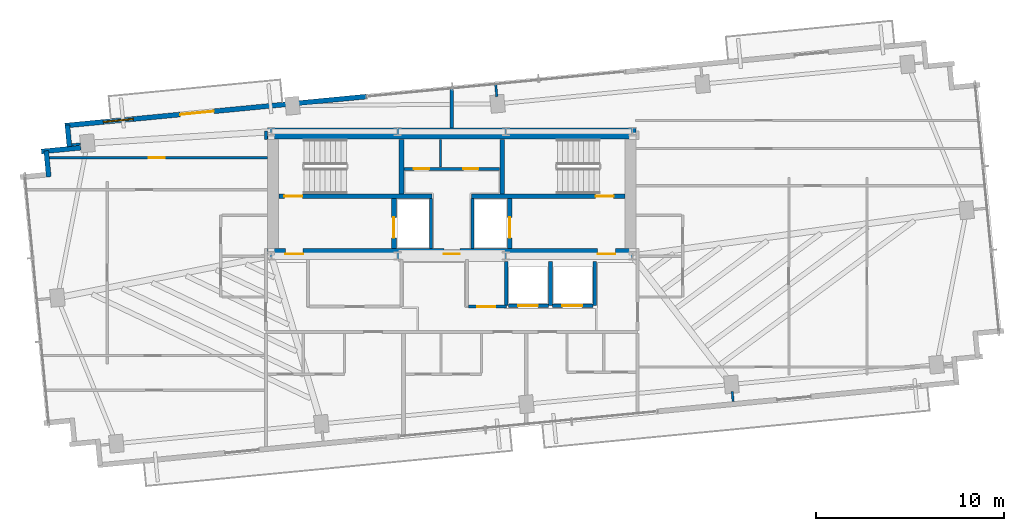
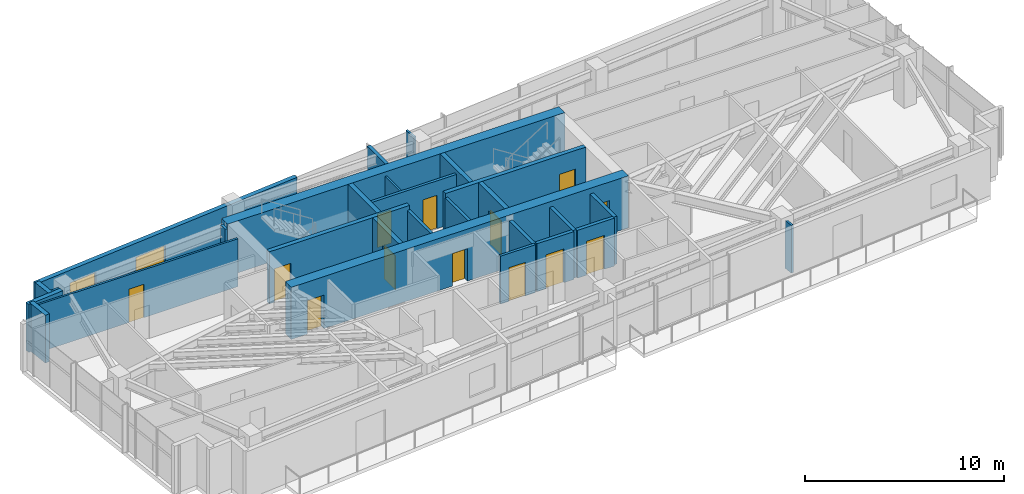
# One storey, part 14 of 18: 28 walls, 14 doors, 1 window, 15 openings.
"""IFC4 building model written with IfcOpenShell, lengths in metres."""

from ifc_helpers import new_model, si_unit, direction, frame, frame_2d, origin, place, context, subcontext, project, spatial, rectangle, extrude, source, transform, mapped, material, layer, layer_set, type_object, type_shapes, element, fill, save


model = new_model("IFC4")

# Units and contexts
model_context = context("Model", 3, precision=1e-05, world=origin(), true_north=direction((0.0, 1.0)))
body_context = subcontext(model_context, "Body", "Model", "MODEL_VIEW")
ifc_project = project(units=[si_unit("LENGTHUNIT", "METRE"), si_unit("AREAUNIT", "SQUARE_METRE"), si_unit("VOLUMEUNIT", "CUBIC_METRE"), si_unit("PLANEANGLEUNIT", "RADIAN"), si_unit("MASSUNIT", "GRAM", prefix="KILO")], contexts=[model_context])

# Site, building, storey
site_placement = place(None, origin())
site = spatial("IfcSite", under=ifc_project, at=site_placement, CompositionType="ELEMENT")
building_placement = place(site_placement, origin())
building = spatial("IfcBuilding", under=site, at=building_placement, Name="Astriad Promenade Condominiums", CompositionType="ELEMENT")
storey_placement = place(building_placement, frame((0.0, 0.0, 195.39990234375)))
storey = spatial("IfcBuildingStorey", under=building, at=storey_placement, Name="L56", CompositionType="ELEMENT", Elevation=195.39990234375)

# Wall, openings, doors
ifc_material_1 = material(Name="Concrete C50/60", Category="concrete")
ifc_layer_1 = layer(ifc_material_1, 0.60009765625)
ifc_layer_set_1 = layer_set([ifc_layer_1], Name="Concrete C50/60")
wall_type_1 = type_object("IfcWallType", Name="CW-SHEAR-600", PredefinedType="SHEAR", material=ifc_layer_set_1)
wall_1_placement = place(storey_placement, frame((26.199951171875, 17.5, 0.0), z_axis=(0.0, 0.0, 1.0), x_axis=(1.0, 0.0, 0.0)))
wall_1 = element("IfcWall", 1, at=wall_1_placement, inside=storey, type_object=wall_type_1, Name="CW-CORE-S-L56", PredefinedType="SHEAR", context=body_context, shape_type="SweptSolid", body=[
    extrude(rectangle(XDim=19.60009765625, YDim=0.60009765625, at=frame_2d((9.800048828125, 0.0))), origin(), (0.0, 0.0, 1.0), 3.2001953125),
])
opening_1_placement = place(wall_1_placement, frame((0.949951171875, 0.0, 0.0)))
opening_1 = element("IfcOpeningElement", 2, at=opening_1_placement, cuts=wall_1, Name="Opening FD90-ST-095", PredefinedType="OPENING", context=body_context, shape_type="SweptSolid", body=[
    extrude(rectangle(XDim=0.949951171875, YDim=2.06005859375, at=frame_2d((0.47509765625, 1.030029296875))), frame((0.0, 0.31005859375, 0.0), z_axis=(0.0, -1.0, 0.0), x_axis=(1.0, 0.0, 0.0)), (0.0, 0.0, 1.0), 0.6201171875),
])
opening_2_placement = place(wall_1_placement, frame((9.3798828125, 0.0, 0.0)))
opening_2 = element("IfcOpeningElement", 3, at=opening_2_placement, cuts=wall_1, Name="Opening FD60-ULOW-085", PredefinedType="OPENING", context=body_context, shape_type="SweptSolid", body=[
    extrude(rectangle(XDim=0.85009765625, YDim=2.0, at=frame_2d((0.425048828125, 1.0))), frame((0.0, 0.31005859375, 0.0), z_axis=(0.0, -1.0, 0.0), x_axis=(1.0, 0.0, 0.0)), (0.0, 0.0, 1.0), 0.6201171875),
])
opening_3_placement = place(wall_1_placement, frame((17.550048828125, 0.0, 0.0)))
opening_3 = element("IfcOpeningElement", 4, at=opening_3_placement, cuts=wall_1, Name="Opening FD90-ST-095", PredefinedType="OPENING", context=body_context, shape_type="SweptSolid", body=[
    extrude(rectangle(XDim=0.949951171875, YDim=2.06005859375, at=frame_2d((0.47509765625, 1.030029296875))), frame((0.0, 0.31005859375, 0.0), z_axis=(0.0, -1.0, 0.0), x_axis=(1.0, 0.0, 0.0)), (0.0, 0.0, 1.0), 0.6201171875),
])
ifc_material_2 = material(Name="Fire-Rated Hollow Metal Stair Door")
door_type_1 = type_object("IfcDoorType", Name="FD90-ST-095", OperationType="NOTDEFINED", PredefinedType="DOOR", material=ifc_material_2)
shared_shape_1 = source(origin(), body_context, "Body", "SweptSolid", [
    extrude(rectangle(XDim=0.949951171875, YDim=2.06005859375, at=frame_2d((0.47509765625, 1.030029296875))), frame((0.0, 0.02490234375, 0.0), z_axis=(0.0, -1.0, 0.0), x_axis=(1.0, 0.0, 0.0)), (0.0, 0.0, 1.0), 0.050048828125),
])
type_shapes(door_type_1, [shared_shape_1])
door_1_placement = place(opening_1_placement, origin())
door_1 = element("IfcDoor", 5, at=door_1_placement, inside=storey, type_object=door_type_1, Name="D-FFW-L56", OperationType="SINGLE_SWING_LEFT", OverallHeight=2.06005859375, OverallWidth=0.949951171875, PredefinedType="DOOR", context=body_context, shape_type="MappedRepresentation", body=[
    mapped(shared_shape_1, transform((0.0, 0.0, 0.0), scale=1.0)),
])
fill(opening_1, door_1)
door_2_placement = place(opening_3_placement, origin())
door_2 = element("IfcDoor", 6, at=door_2_placement, inside=storey, type_object=door_type_1, Name="D-FFE-L56", OperationType="SINGLE_SWING_RIGHT", OverallHeight=2.06005859375, OverallWidth=0.949951171875, PredefinedType="DOOR", context=body_context, shape_type="MappedRepresentation", body=[
    mapped(shared_shape_1, transform((0.0, 0.0, 0.0), scale=1.0)),
])
fill(opening_3, door_2)
ifc_material_3 = material(Name="Solid-Core Low-Headroom Fire Door")
door_type_2 = type_object("IfcDoorType", Name="FD60-ULOW-085", OperationType="NOTDEFINED", PredefinedType="DOOR", material=ifc_material_3)
shared_shape_2 = source(origin(), body_context, "Body", "SweptSolid", [
    extrude(rectangle(XDim=0.85009765625, YDim=2.0, at=frame_2d((0.425048828125, 1.0))), frame((0.0, 0.02490234375, 0.0), z_axis=(0.0, -1.0, 0.0), x_axis=(1.0, 0.0, 0.0)), (0.0, 0.0, 1.0), 0.050048828125),
])
type_shapes(door_type_2, [shared_shape_2])
door_3_placement = place(opening_2_placement, origin())
door_3 = element("IfcDoor", 7, at=door_3_placement, inside=storey, type_object=door_type_2, Name="D-CSL-L56", OperationType="SINGLE_SWING_RIGHT", OverallHeight=2.0, OverallWidth=0.85009765625, PredefinedType="DOOR", context=body_context, shape_type="MappedRepresentation", body=[
    mapped(shared_shape_2, transform((0.0, 0.0, 0.0), scale=1.0)),
])
fill(opening_2, door_3)

# Wall
wall_2_placement = place(storey_placement, frame((26.199951171875, 23.89990234375, 0.0), z_axis=(0.0, 0.0, 1.0), x_axis=(1.0, 0.0, 0.0)))
element("IfcWall", 8, at=wall_2_placement, inside=storey, type_object=wall_type_1, Name="CW-CORE-N-L56", PredefinedType="SHEAR", context=body_context, shape_type="SweptSolid", body=[
    extrude(rectangle(XDim=19.60009765625, YDim=0.60009765625, at=frame_2d((9.800048828125, 0.0))), origin(), (0.0, 0.0, 1.0), 3.2001953125),
])

# Wall, opening, door
ifc_layer_2 = layer(ifc_material_1, 0.25)
ifc_layer_set_2 = layer_set([ifc_layer_2], Name="Concrete C50/60")
wall_type_2 = type_object("IfcWallType", Name="WALL-CORE-INT-250", PredefinedType="SOLIDWALL", material=ifc_layer_set_2)
wall_3_placement = place(storey_placement, frame((26.802001953125, 20.574951171875, 0.0), z_axis=(0.0, 0.0, 1.0), x_axis=(1.0, 0.0, 0.0)))
wall_3 = element("IfcWall", 9, at=wall_3_placement, inside=storey, type_object=wall_type_2, Name="CW-INT-H1-L56", PredefinedType="SOLIDWALL", context=body_context, shape_type="SweptSolid", body=[
    extrude(rectangle(XDim=8.14794921875, YDim=0.25, at=frame_2d((4.073974609375, 0.0))), origin(), (0.0, 0.0, 1.0), 3.2001953125),
])
opening_4_placement = place(wall_3_placement, frame((0.298095703125, 0.0, 0.0)))
opening_4 = element("IfcOpeningElement", 10, at=opening_4_placement, cuts=wall_3, Name="Opening FD90-ST-095", PredefinedType="OPENING", context=body_context, shape_type="SweptSolid", body=[
    extrude(rectangle(XDim=0.949951171875, YDim=2.06005859375, at=frame_2d((0.47509765625, 1.030029296875))), frame((0.0, 0.135009765625, 0.0), z_axis=(0.0, -1.0, 0.0), x_axis=(1.0, 0.0, 0.0)), (0.0, 0.0, 1.0), 0.27001953125),
])
door_4_placement = place(opening_4_placement, origin())
door_4 = element("IfcDoor", 11, at=door_4_placement, inside=storey, type_object=door_type_1, Name="D-ST1-L56", OperationType="SINGLE_SWING_LEFT", OverallHeight=2.06005859375, OverallWidth=0.949951171875, PredefinedType="DOOR", context=body_context, shape_type="MappedRepresentation", body=[
    mapped(shared_shape_1, transform((0.0, 0.0, 0.0), scale=1.0)),
])
fill(opening_4, door_4)

wall_4_placement = place(storey_placement, frame((37.050048828125, 20.574951171875, 0.0), z_axis=(0.0, 0.0, 1.0), x_axis=(1.0, 0.0, 0.0)))
wall_4 = element("IfcWall", 12, at=wall_4_placement, inside=storey, type_object=wall_type_2, Name="CW-INT-H2-L56", PredefinedType="SOLIDWALL", context=body_context, shape_type="SweptSolid", body=[
    extrude(rectangle(XDim=8.14794921875, YDim=0.25, at=frame_2d((4.073974609375, 0.0))), origin(), (0.0, 0.0, 1.0), 3.2001953125),
])
opening_5_placement = place(wall_4_placement, frame((6.60009765625, 0.0, 0.0)))
opening_5 = element("IfcOpeningElement", 13, at=opening_5_placement, cuts=wall_4, Name="Opening FD90-ST-095", PredefinedType="OPENING", context=body_context, shape_type="SweptSolid", body=[
    extrude(rectangle(XDim=0.949951171875, YDim=2.06005859375, at=frame_2d((0.47509765625, 1.030029296875))), frame((0.0, 0.135009765625, 0.0), z_axis=(0.0, -1.0, 0.0), x_axis=(1.0, 0.0, 0.0)), (0.0, 0.0, 1.0), 0.27001953125),
])
door_5_placement = place(opening_5_placement, origin())
door_5 = element("IfcDoor", 14, at=door_5_placement, inside=storey, type_object=door_type_1, Name="D-ST2-L56", OperationType="SINGLE_SWING_RIGHT", OverallHeight=2.06005859375, OverallWidth=0.949951171875, PredefinedType="DOOR", context=body_context, shape_type="MappedRepresentation", body=[
    mapped(shared_shape_1, transform((0.0, 0.0, 0.0), scale=1.0)),
])
fill(opening_5, door_5)

# Walls
for number, where, z_axis, x_axis, name in (
    (15, (33.324951171875, 20.701904296875, 0.0), (0.0, 0.0, 1.0), (0.0, 1.0, 0.0), "CW-ST1-E-L56"),
    (16, (38.675048828125, 20.701904296875, 0.0), (0.0, 0.0, 1.0), (0.0, 1.0, 0.0), "CW-ST2-W-L56"),
):
    element("IfcWall", number, at=place(storey_placement, frame(where, z_axis=z_axis, x_axis=x_axis)), inside=storey, type_object=wall_type_2, Name=name, PredefinedType="SOLIDWALL", context=body_context, shape_type="SweptSolid", body=[
        extrude(rectangle(XDim=2.89599609375, YDim=0.25, at=frame_2d((1.447998046875, 0.0))), origin(), (0.0, 0.0, 1.0), 3.2001953125),
    ])

# Wall, opening, door
wall_5_placement = place(storey_placement, frame((32.925048828125, 17.802001953125, 0.0), z_axis=(0.0, 0.0, 1.0), x_axis=(0.0, 1.0, 0.0)))
wall_5 = element("IfcWall", 17, at=wall_5_placement, inside=storey, type_object=wall_type_2, Name="CW-FFL1-W-L56", PredefinedType="SOLIDWALL", context=body_context, shape_type="SweptSolid", body=[
    extrude(rectangle(XDim=2.64599609375, YDim=0.25, at=frame_2d((1.322998046875, 0.0))), origin(), (0.0, 0.0, 1.0), 3.2001953125),
])
opening_6_placement = place(wall_5_placement, frame((0.548095703125, 0.0, 0.0)))
opening_6 = element("IfcOpeningElement", 18, at=opening_6_placement, cuts=wall_5, Name="Opening LD-FFL-1122", PredefinedType="OPENING", context=body_context, shape_type="SweptSolid", body=[
    extrude(rectangle(XDim=1.10009765625, YDim=2.080078125, at=frame_2d((0.550048828125, 1.0400390625))), frame((0.0, 0.135009765625, 0.0), z_axis=(0.0, -1.0, 0.0), x_axis=(1.0, 0.0, 0.0)), (0.0, 0.0, 1.0), 0.27001953125),
])
ifc_material_4 = material(Name="Brushed Stainless Steel Fire Elevator Landing Door", Category="steel")
door_type_3 = type_object("IfcDoorType", Name="LD-FFL-1122", OperationType="NOTDEFINED", PredefinedType="DOOR", material=ifc_material_4)
shared_shape_3 = source(origin(), body_context, "Body", "SweptSolid", [
    extrude(rectangle(XDim=1.10009765625, YDim=2.080078125, at=frame_2d((0.550048828125, 1.0400390625))), frame((0.0, 0.02490234375, 0.0), z_axis=(0.0, -1.0, 0.0), x_axis=(1.0, 0.0, 0.0)), (0.0, 0.0, 1.0), 0.050048828125),
])
type_shapes(door_type_3, [shared_shape_3])
door_6_placement = place(opening_6_placement, origin())
door_6 = element("IfcDoor", 19, at=door_6_placement, inside=storey, type_object=door_type_3, Name="Elevator Landing Door FFL-1 (L56)", OperationType="SLIDING_TO_LEFT", OverallHeight=2.080078125, OverallWidth=1.10009765625, PredefinedType="DOOR", context=body_context, shape_type="MappedRepresentation", body=[
    mapped(shared_shape_3, transform((0.0, 0.0, 0.0), scale=1.0)),
])
fill(opening_6, door_6)

wall_6_placement = place(storey_placement, frame((39.074951171875, 17.802001953125, 0.0), z_axis=(0.0, 0.0, 1.0), x_axis=(0.0, 1.0, 0.0)))
wall_6 = element("IfcWall", 20, at=wall_6_placement, inside=storey, type_object=wall_type_2, Name="CW-FFL2-E-L56", PredefinedType="SOLIDWALL", context=body_context, shape_type="SweptSolid", body=[
    extrude(rectangle(XDim=2.64599609375, YDim=0.25, at=frame_2d((1.322998046875, 0.0))), origin(), (0.0, 0.0, 1.0), 3.2001953125),
])
opening_7_placement = place(wall_6_placement, frame((0.548095703125, 0.0, 0.0)))
opening_7 = element("IfcOpeningElement", 21, at=opening_7_placement, cuts=wall_6, Name="Opening LD-FFL-1122", PredefinedType="OPENING", context=body_context, shape_type="SweptSolid", body=[
    extrude(rectangle(XDim=1.10009765625, YDim=2.080078125, at=frame_2d((0.550048828125, 1.0400390625))), frame((0.0, 0.135009765625, 0.0), z_axis=(0.0, -1.0, 0.0), x_axis=(1.0, 0.0, 0.0)), (0.0, 0.0, 1.0), 0.27001953125),
])
door_7_placement = place(opening_7_placement, origin())
door_7 = element("IfcDoor", 22, at=door_7_placement, inside=storey, type_object=door_type_3, Name="Elevator Landing Door FFL-2 (L56)", OperationType="SLIDING_TO_RIGHT", OverallHeight=2.080078125, OverallWidth=1.10009765625, PredefinedType="DOOR", context=body_context, shape_type="MappedRepresentation", body=[
    mapped(shared_shape_3, transform((0.0, 0.0, 0.0), scale=1.0)),
])
fill(opening_7, door_7)

# Walls
ifc_material_5 = material(Name="Fire-Rated Gypsum Partition")
ifc_layer_3 = layer(ifc_material_5, 0.159912109375)
ifc_layer_set_3 = layer_set([ifc_layer_3], Name="Fire-Rated Gypsum Partition")
wall_type_3 = type_object("IfcWallType", Name="WALL-CORR-160", PredefinedType="PARTITIONING", material=ifc_layer_set_3)
for number, where, z_axis, x_axis, name in (
    (23, (34.89990234375, 17.802001953125, 0.0), (0.0, 0.0, 1.0), (0.0, 1.0, 0.0), "CW-FFL1-E-L56"),
    (24, (37.10009765625, 17.802001953125, 0.0), (0.0, 0.0, 1.0), (0.0, 1.0, 0.0), "CW-FFL2-W-L56"),
):
    element("IfcWall", number, at=place(storey_placement, frame(where, z_axis=z_axis, x_axis=x_axis)), inside=storey, type_object=wall_type_3, Name=name, PredefinedType="PARTITIONING", context=body_context, shape_type="SweptSolid", body=[
        extrude(rectangle(XDim=2.64599609375, YDim=0.159912109375, at=frame_2d((1.322998046875, 0.0))), origin(), (0.0, 0.0, 1.0), 2.940185546875),
    ])

# Wall, openings, doors
wall_7_placement = place(storey_placement, frame((33.451904296875, 22.030029296875, 0.0), z_axis=(0.0, 0.0, 1.0), x_axis=(1.0, 0.0, 0.0)))
wall_7 = element("IfcWall", 25, at=wall_7_placement, inside=storey, type_object=wall_type_3, Name="CW-AUX-N-L56", PredefinedType="PARTITIONING", context=body_context, shape_type="SweptSolid", body=[
    extrude(rectangle(XDim=5.09619140625, YDim=0.159912109375, at=frame_2d((2.548095703125, 0.0))), origin(), (0.0, 0.0, 1.0), 2.940185546875),
])
opening_8_placement = place(wall_7_placement, frame((0.5380859375, 0.0, 0.0)))
opening_8 = element("IfcOpeningElement", 26, at=opening_8_placement, cuts=wall_7, Name="Opening FD60-SV-080", PredefinedType="OPENING", context=body_context, shape_type="SweptSolid", body=[
    extrude(rectangle(XDim=0.800048828125, YDim=2.050048828125, at=frame_2d((0.39990234375, 1.02490234375))), frame((0.0, 0.08984375, 0.0), z_axis=(0.0, -1.0, 0.0), x_axis=(1.0, 0.0, 0.0)), (0.0, 0.0, 1.0), 0.179931640625),
])
opening_9_placement = place(wall_7_placement, frame((3.157958984375, 0.0, 0.0)))
opening_9 = element("IfcOpeningElement", 27, at=opening_9_placement, cuts=wall_7, Name="Opening FD60-SV-080", PredefinedType="OPENING", context=body_context, shape_type="SweptSolid", body=[
    extrude(rectangle(XDim=0.800048828125, YDim=2.050048828125, at=frame_2d((0.39990234375, 1.02490234375))), frame((0.0, 0.08984375, 0.0), z_axis=(0.0, -1.0, 0.0), x_axis=(1.0, 0.0, 0.0)), (0.0, 0.0, 1.0), 0.179931640625),
])
ifc_material_6 = material(Name="Fire-Rated Riser Closet Door")
door_type_4 = type_object("IfcDoorType", Name="FD60-SV-080", OperationType="NOTDEFINED", PredefinedType="DOOR", material=ifc_material_6)
shared_shape_4 = source(origin(), body_context, "Body", "SweptSolid", [
    extrude(rectangle(XDim=0.800048828125, YDim=2.050048828125, at=frame_2d((0.39990234375, 1.02490234375))), frame((0.0, 0.02490234375, 0.0), z_axis=(0.0, -1.0, 0.0), x_axis=(1.0, 0.0, 0.0)), (0.0, 0.0, 1.0), 0.050048828125),
])
type_shapes(door_type_4, [shared_shape_4])
door_8_placement = place(opening_8_placement, origin())
door_8 = element("IfcDoor", 28, at=door_8_placement, inside=storey, type_object=door_type_4, Name="D-AUX1-L56", OperationType="SINGLE_SWING_LEFT", OverallHeight=2.050048828125, OverallWidth=0.800048828125, PredefinedType="DOOR", context=body_context, shape_type="MappedRepresentation", body=[
    mapped(shared_shape_4, transform((0.0, 0.0, 0.0), scale=1.0)),
])
fill(opening_8, door_8)
door_9_placement = place(opening_9_placement, origin())
door_9 = element("IfcDoor", 29, at=door_9_placement, inside=storey, type_object=door_type_4, Name="D-AUX2-L56", OperationType="SINGLE_SWING_RIGHT", OverallHeight=2.050048828125, OverallWidth=0.800048828125, PredefinedType="DOOR", context=body_context, shape_type="MappedRepresentation", body=[
    mapped(shared_shape_4, transform((0.0, 0.0, 0.0), scale=1.0)),
])
fill(opening_9, door_9)

# Wall
wall_8_placement = place(storey_placement, frame((26.1201171875, 23.597900390625, 0.0), z_axis=(0.0, 0.0, 1.0), x_axis=(0.0, 1.0, 0.0)))
element("IfcWall", 30, at=wall_8_placement, inside=storey, type_object=wall_type_3, Name="PT-COR-W-L56-S3", PredefinedType="PARTITIONING", context=body_context, shape_type="SweptSolid", body=[
    extrude(rectangle(XDim=0.4521484375, YDim=0.159912109375, at=frame_2d((0.22607421875, 0.0))), origin(), (0.0, 0.0, 1.0), 2.940185546875),
])

# Wall, opening, door
wall_9_placement = place(storey_placement, frame((36.882080078125, 14.699951171875, 0.0), z_axis=(0.0, 0.0, 1.0), x_axis=(1.0, 0.0, 0.0)))
wall_9 = element("IfcWall", 31, at=wall_9_placement, inside=storey, type_object=wall_type_3, Name="PT-Z3R2-S-L56", PredefinedType="PARTITIONING", context=body_context, shape_type="SweptSolid", body=[
    extrude(rectangle(XDim=2.017822265625, YDim=0.159912109375, at=frame_2d((1.0087890625, 0.0))), origin(), (0.0, 0.0, 1.0), 2.940185546875),
])
opening_10_placement = place(wall_9_placement, frame((0.48291015625, 0.0, 0.0)))
opening_10 = element("IfcOpeningElement", 32, at=opening_10_placement, cuts=wall_9, Name="Opening FD60-APT-095", PredefinedType="OPENING", context=body_context, shape_type="SweptSolid", body=[
    extrude(rectangle(XDim=0.949951171875, YDim=2.06005859375, at=frame_2d((0.47509765625, 1.030029296875))), frame((0.0, 0.08984375, 0.0), z_axis=(0.0, -1.0, 0.0), x_axis=(1.0, 0.0, 0.0)), (0.0, 0.0, 1.0), 0.179931640625),
])
ifc_material_7 = material(Name="Solid-Core Acoustic Timber Residence Entry Door", Category="wood")
door_type_5 = type_object("IfcDoorType", Name="FD60-APT-095", OperationType="NOTDEFINED", PredefinedType="DOOR", material=ifc_material_7)
shared_shape_5 = source(origin(), body_context, "Body", "SweptSolid", [
    extrude(rectangle(XDim=0.949951171875, YDim=2.06005859375, at=frame_2d((0.47509765625, 1.030029296875))), frame((0.0, 0.02490234375, 0.0), z_axis=(0.0, -1.0, 0.0), x_axis=(1.0, 0.0, 0.0)), (0.0, 0.0, 1.0), 0.050048828125),
])
type_shapes(door_type_5, [shared_shape_5])
door_10_placement = place(opening_10_placement, origin())
door_10 = element("IfcDoor", 33, at=door_10_placement, inside=storey, type_object=door_type_5, Name="D-Z3N-L56", OperationType="SINGLE_SWING_RIGHT", OverallHeight=2.06005859375, OverallWidth=0.949951171875, PredefinedType="DOOR", context=body_context, shape_type="MappedRepresentation", body=[
    mapped(shared_shape_5, transform((0.0, 0.0, 0.0), scale=1.0)),
])
fill(opening_10, door_10)

# Walls
ifc_material_8 = material(Name="Acoustic Double-Stud Gypsum Partition")
ifc_layer_4 = layer(ifc_material_8, 0.199951171875)
ifc_layer_set_4 = layer_set([ifc_layer_4], Name="Acoustic Double-Stud Gypsum Partition")
wall_type_4 = type_object("IfcWallType", Name="WALL-DEMISING-200", PredefinedType="PARTITIONING", material=ifc_layer_set_4)
wall_10_placement = place(storey_placement, frame((36.0, 24.201904296875, 0.0), z_axis=(0.0, 0.0, 1.0), x_axis=(0.0, 1.0, 0.0)))
element("IfcWall", 34, at=wall_10_placement, inside=storey, type_object=wall_type_4, Name="PT-NC-MID-L56", PredefinedType="PARTITIONING", context=body_context, shape_type="SweptSolid", body=[
    extrude(rectangle(XDim=2.152099609375, YDim=0.199951171875, at=frame_2d((1.076171875, 0.0))), origin(), (0.0, 0.0, 1.0), 2.940185546875),
])
ifc_material_9 = material(Name="Precast concrete C50/60", Category="concrete")
ifc_layer_5 = layer(ifc_material_9, 0.260009765625)
ifc_layer_set_5 = layer_set([ifc_layer_5], Name="Precast concrete C50/60")
wall_type_5 = type_object("IfcWallType", Name="WALL-EXT-TWR-260", PredefinedType="STANDARD", material=ifc_layer_set_5)
wall_11_placement = place(storey_placement, frame((14.57373046875, 21.5986328125, 0.0), z_axis=(0.0, 0.0, 1.0), x_axis=(-0.095742423056, 0.99540614245, 0.0)))
element("IfcWall", 35, at=wall_11_placement, inside=storey, type_object=wall_type_5, Name="W-SER-L56-05", PredefinedType="STANDARD", context=body_context, shape_type="SweptSolid", body=[
    extrude(rectangle(XDim=1.394775390625, YDim=0.260009765625, at=frame_2d((0.697265625, 0.0))), origin(), (0.0, 0.0, 1.0), 2.940185546875),
])
wall_12_placement = place(storey_placement, frame((14.182861328125, 22.947265625, 0.0), z_axis=(0.0, 0.0, 1.0), x_axis=(0.995401580483, 0.095789840651, 0.0)))
element("IfcWall", 36, at=wall_12_placement, inside=storey, type_object=wall_type_5, Name="W-SER-L56-06", PredefinedType="STANDARD", context=body_context, shape_type="SweptSolid", body=[
    extrude(rectangle(XDim=2.102783203125, YDim=0.260009765625, at=frame_2d((1.05126953125, 0.0))), origin(), (0.0, 0.0, 1.0), 2.940185546875),
])
wall_13_placement = place(storey_placement, frame((15.6748046875, 23.20654296875, 0.0), z_axis=(0.0, 0.0, 1.0), x_axis=(-0.095951054827, 0.995386053287, 0.0)))
element("IfcWall", 37, at=wall_13_placement, inside=storey, type_object=wall_type_5, Name="W-SER-L56-07", PredefinedType="STANDARD", context=body_context, shape_type="SweptSolid", body=[
    extrude(rectangle(XDim=1.150146484375, YDim=0.260009765625, at=frame_2d((0.5751953125, 0.0))), origin(), (0.0, 0.0, 1.0), 2.940185546875),
])

# Wall, openings, door, window
wall_14_placement = place(storey_placement, frame((15.4365234375, 24.32373046875, 0.0), z_axis=(0.0, 0.0, 1.0), x_axis=(0.995395627913, 0.095851676732, 0.0)))
wall_14 = element("IfcWall", 38, at=wall_14_placement, inside=storey, type_object=wall_type_5, Name="W-EXT-L56-N1", PredefinedType="STANDARD", context=body_context, shape_type="SweptSolid", body=[
    extrude(rectangle(XDim=16.10009765625, YDim=0.260009765625, at=frame_2d((8.050048828125, 0.0))), origin(), (0.0, 0.0, 1.0), 2.940185546875),
])
opening_11_placement = place(wall_14_placement, frame((6.14697265625, 0.0, 0.0)))
opening_11 = element("IfcOpeningElement", 39, at=opening_11_placement, cuts=wall_14, Name="Opening BD-1822-SLD", PredefinedType="OPENING", context=body_context, shape_type="SweptSolid", body=[
    extrude(rectangle(XDim=1.800048828125, YDim=2.06005859375, at=frame_2d((0.89990234375, 1.030029296875))), frame((0.0, 0.139892578125, 0.0), z_axis=(0.0, -1.0, 0.0), x_axis=(1.0, 0.0, 0.0)), (0.0, 0.0, 1.0), 0.280029296875),
])
opening_12_placement = place(wall_14_placement, frame((2.050048828125, 0.0, 0.64990234375)))
opening_12 = element("IfcOpeningElement", 40, at=opening_12_placement, cuts=wall_14, Name="Opening WIN-TWR-1620", PredefinedType="OPENING", context=body_context, shape_type="SweptSolid", body=[
    extrude(rectangle(XDim=1.60009765625, YDim=1.5, at=frame_2d((0.800048828125, 0.75))), frame((0.0, 0.139892578125, 0.0), z_axis=(0.0, -1.0, 0.0), x_axis=(1.0, 0.0, 0.0)), (0.0, 0.0, 1.0), 0.280029296875),
])
ifc_material_10 = material(Name="Thermally Broken Aluminium Sliding Balcony Door", Category="aluminium")
door_type_6 = type_object("IfcDoorType", Name="BD-1822-SLD", OperationType="NOTDEFINED", PredefinedType="DOOR", material=ifc_material_10)
shared_shape_6 = source(origin(), body_context, "Body", "SweptSolid", [
    extrude(rectangle(XDim=1.800048828125, YDim=2.06005859375, at=frame_2d((0.89990234375, 1.030029296875))), frame((0.0, 0.02490234375, 0.0), z_axis=(0.0, -1.0, 0.0), x_axis=(1.0, 0.0, 0.0)), (0.0, 0.0, 1.0), 0.050048828125),
])
type_shapes(door_type_6, [shared_shape_6])
door_11_placement = place(opening_11_placement, origin())
door_11 = element("IfcDoor", 41, at=door_11_placement, inside=storey, type_object=door_type_6, Name="BD-L56-NW", OperationType="SLIDING_TO_LEFT", OverallHeight=2.06005859375, OverallWidth=1.800048828125, PredefinedType="DOOR", context=body_context, shape_type="MappedRepresentation", body=[
    mapped(shared_shape_6, transform((0.0, 0.0, 0.0), scale=1.0)),
])
fill(opening_11, door_11)
ifc_material_11 = material(Name="Dark Tinted Triple-Glazed Aluminium Window", Category="aluminium")
window_type = type_object("IfcWindowType", Name="WIN-TWR-1620", PartitioningType="SINGLE_PANEL", PredefinedType="WINDOW", material=ifc_material_11)
shared_shape_7 = source(origin(), body_context, "Body", "SweptSolid", [
    extrude(rectangle(XDim=1.60009765625, YDim=1.5, at=frame_2d((0.800048828125, 0.75))), frame((0.0, 0.030029296875, 0.0), z_axis=(0.0, -1.0, 0.0), x_axis=(1.0, 0.0, 0.0)), (0.0, 0.0, 1.0), 0.06005859375),
])
type_shapes(window_type, [shared_shape_7])
window_placement = place(opening_12_placement, origin())
window = element("IfcWindow", 42, at=window_placement, inside=storey, type_object=window_type, Name="WIN-L56-NW", OverallHeight=1.5, OverallWidth=1.60009765625, PartitioningType="SINGLE_PANEL", PredefinedType="WINDOW", context=body_context, shape_type="MappedRepresentation", body=[
    mapped(shared_shape_7, transform((0.0, 0.0, 0.0), scale=1.0)),
])
fill(opening_12, window)

# Wall
ifc_material_12 = material(Name="Acoustic Metal-Stud Gypsum Partition")
ifc_layer_6 = layer(ifc_material_12, 0.1201171875)
ifc_layer_set_6 = layer_set([ifc_layer_6], Name="Acoustic Metal-Stud Gypsum Partition")
wall_type_6 = type_object("IfcWallType", Name="WALL-PART-120", PredefinedType="PARTITIONING", material=ifc_layer_set_6)
wall_15_placement = place(storey_placement, frame((35.39990234375, 22.112060546875, 0.0), z_axis=(0.0, 0.0, 1.0), x_axis=(0.0, 1.0, 0.0)))
element("IfcWall", 43, at=wall_15_placement, inside=storey, type_object=wall_type_6, Name="CW-AUX-V1-L56", PredefinedType="PARTITIONING", context=body_context, shape_type="SweptSolid", body=[
    extrude(rectangle(XDim=1.48583984375, YDim=0.1201171875, at=frame_2d((0.742919921875, 0.0))), origin(), (0.0, 0.0, 1.0), 2.940185546875),
])

# Wall, opening, door
wall_16_placement = place(storey_placement, frame((14.60791015625, 22.6220703125, 0.0), z_axis=(0.0, 0.0, 1.0), x_axis=(1.0, 0.0, 0.0)))
wall_16 = element("IfcWall", 44, at=wall_16_placement, inside=storey, type_object=wall_type_6, Name="PT-L56-W1-WDN2", PredefinedType="PARTITIONING", context=body_context, shape_type="SweptSolid", body=[
    extrude(rectangle(XDim=11.590087890625, YDim=0.1201171875, at=frame_2d((5.794921875, 0.0))), origin(), (0.0, 0.0, 1.0), 2.940185546875),
])
opening_13_placement = place(wall_16_placement, frame((5.27001953125, 0.0, 0.0)))
opening_13 = element("IfcOpeningElement", 45, at=opening_13_placement, cuts=wall_16, Name="Opening D-INT-085", PredefinedType="OPENING", context=body_context, shape_type="SweptSolid", body=[
    extrude(rectangle(XDim=0.85009765625, YDim=2.050048828125, at=frame_2d((0.425048828125, 1.02490234375))), frame((0.0, 0.070068359375, 0.0), z_axis=(0.0, -1.0, 0.0), x_axis=(1.0, 0.0, 0.0)), (0.0, 0.0, 1.0), 0.14013671875),
])
ifc_material_13 = material(Name="Painted Solid-Core Timber Room Door", Category="wood")
door_type_7 = type_object("IfcDoorType", Name="D-INT-085", OperationType="NOTDEFINED", PredefinedType="DOOR", material=ifc_material_13)
shared_shape_8 = source(origin(), body_context, "Body", "SweptSolid", [
    extrude(rectangle(XDim=0.85009765625, YDim=2.050048828125, at=frame_2d((0.425048828125, 1.02490234375))), frame((0.0, 0.02490234375, 0.0), z_axis=(0.0, -1.0, 0.0), x_axis=(1.0, 0.0, 0.0)), (0.0, 0.0, 1.0), 0.050048828125),
])
type_shapes(door_type_7, [shared_shape_8])
door_12_placement = place(opening_13_placement, origin())
door_12 = element("IfcDoor", 46, at=door_12_placement, inside=storey, type_object=door_type_7, Name="D-WDN2-L56-W1", OperationType="SINGLE_SWING_RIGHT", OverallHeight=2.050048828125, OverallWidth=0.85009765625, PredefinedType="DOOR", context=body_context, shape_type="MappedRepresentation", body=[
    mapped(shared_shape_8, transform((0.0, 0.0, 0.0), scale=1.0)),
])
fill(opening_13, door_12)

# Walls
wall_17_placement = place(storey_placement, frame((50.90478515625, 10.18798828125, 0.0), z_axis=(0.0, 0.0, 1.0), x_axis=(0.095772948675, -0.995403205893, 0.0)))
element("IfcWall", 47, at=wall_17_placement, inside=storey, type_object=wall_type_6, Name="PT-PIL-L56-PC04-11", PredefinedType="PARTITIONING", context=body_context, shape_type="SweptSolid", body=[
    extrude(rectangle(XDim=0.537841796875, YDim=0.1201171875, at=frame_2d((0.26904296875, 0.0))), origin(), (0.0, 0.0, 1.0), 2.940185546875),
])
wall_18_placement = place(storey_placement, frame((16.25390625, 23.34765625, 0.0), z_axis=(0.0, 0.0, 1.0), x_axis=(-0.995389482415, -0.095915474751, 0.0)))
element("IfcWall", 48, at=wall_18_placement, inside=storey, type_object=wall_type_6, Name="PT-PIL-L56-PC06-13", PredefinedType="PARTITIONING", context=body_context, shape_type="SweptSolid", body=[
    extrude(rectangle(XDim=0.458251953125, YDim=0.1201171875, at=frame_2d((0.22900390625, 0.0))), origin(), (0.0, 0.0, 1.0), 2.940185546875),
])
wall_19_placement = place(storey_placement, frame((38.39501953125, 25.861328125, 0.0), z_axis=(0.0, 0.0, 1.0), x_axis=(-0.095977354523, 0.995383517755, 0.0)))
element("IfcWall", 49, at=wall_19_placement, inside=storey, type_object=wall_type_6, Name="PT-PIL-L56-PC08-15", PredefinedType="PARTITIONING", context=body_context, shape_type="SweptSolid", body=[
    extrude(rectangle(XDim=0.719970703125, YDim=0.1201171875, at=frame_2d((0.35986328125, 0.0))), origin(), (0.0, 0.0, 1.0), 2.940185546875),
])
ifc_material_14 = material(Name="Gypsum Shaftliner Assembly")
ifc_layer_7 = layer(ifc_material_14, 0.199951171875)
ifc_layer_set_7 = layer_set([ifc_layer_7], Name="Gypsum Shaftliner Assembly")
wall_type_7 = type_object("IfcWallType", Name="WALL-SHAFT-200", PredefinedType="PARTITIONING", material=ifc_layer_set_7)
for number, where, z_axis, x_axis, name in (
    (50, (38.89990234375, 14.75, 0.0), (0.0, 0.0, 1.0), (0.0, 1.0, 0.0), "PL-MH-DIV-L56"),
    (51, (41.25, 14.75, 0.0), (0.0, 0.0, 1.0), (0.0, 1.0, 0.0), "PL-H-DIV-L56"),
    (52, (43.60009765625, 14.75, 0.0), (0.0, 0.0, 1.0), (0.0, 1.0, 0.0), "PL-E-OUT-L56"),
):
    element("IfcWall", number, at=place(storey_placement, frame(where, z_axis=z_axis, x_axis=x_axis)), inside=storey, type_object=wall_type_7, Name=name, PredefinedType="PARTITIONING", context=body_context, shape_type="SweptSolid", body=[
        extrude(rectangle(XDim=2.35009765625, YDim=0.199951171875, at=frame_2d((1.175048828125, 0.0))), origin(), (0.0, 0.0, 1.0), 2.940185546875),
    ])

# Wall, opening, door
wall_20_placement = place(storey_placement, frame((39.001953125, 14.75, 0.0), z_axis=(0.0, 0.0, 1.0), x_axis=(1.0, 0.0, 0.0)))
wall_20 = element("IfcWall", 53, at=wall_20_placement, inside=storey, type_object=wall_type_7, Name="PL-H-FRT-L56", PredefinedType="PARTITIONING", context=body_context, shape_type="SweptSolid", body=[
    extrude(rectangle(XDim=2.14599609375, YDim=0.199951171875, at=frame_2d((1.072998046875, 0.0))), origin(), (0.0, 0.0, 1.0), 2.940185546875),
])
opening_14_placement = place(wall_20_placement, frame((0.52294921875, 0.0, 0.0)))
opening_14 = element("IfcOpeningElement", 54, at=opening_14_placement, cuts=wall_20, Name="Opening LD-PL-10522", PredefinedType="OPENING", context=body_context, shape_type="SweptSolid", body=[
    extrude(rectangle(XDim=1.050048828125, YDim=2.080078125, at=frame_2d((0.52490234375, 1.0400390625))), frame((0.0, 0.10986328125, 0.0), z_axis=(0.0, -1.0, 0.0), x_axis=(1.0, 0.0, 0.0)), (0.0, 0.0, 1.0), 0.219970703125),
])
ifc_material_15 = material(Name="Brushed Bronze Passenger Elevator Landing Door")
door_type_8 = type_object("IfcDoorType", Name="LD-PL-10522", OperationType="NOTDEFINED", PredefinedType="DOOR", material=ifc_material_15)
shared_shape_9 = source(origin(), body_context, "Body", "SweptSolid", [
    extrude(rectangle(XDim=1.050048828125, YDim=2.080078125, at=frame_2d((0.52490234375, 1.0400390625))), frame((0.0, 0.02490234375, 0.0), z_axis=(0.0, -1.0, 0.0), x_axis=(1.0, 0.0, 0.0)), (0.0, 0.0, 1.0), 0.050048828125),
])
type_shapes(door_type_8, [shared_shape_9])
door_13_placement = place(opening_14_placement, origin())
door_13 = element("IfcDoor", 55, at=door_13_placement, inside=storey, type_object=door_type_8, Name="Elevator Landing Door PL-H1 (L56)", OperationType="SLIDING_TO_LEFT", OverallHeight=2.080078125, OverallWidth=1.050048828125, PredefinedType="DOOR", context=body_context, shape_type="MappedRepresentation", body=[
    mapped(shared_shape_9, transform((0.0, 0.0, 0.0), scale=1.0)),
])
fill(opening_14, door_13)

wall_21_placement = place(storey_placement, frame((41.35205078125, 14.75, 0.0), z_axis=(0.0, 0.0, 1.0), x_axis=(1.0, 0.0, 0.0)))
wall_21 = element("IfcWall", 56, at=wall_21_placement, inside=storey, type_object=wall_type_7, Name="PL-H-FRT-L56-S2", PredefinedType="PARTITIONING", context=body_context, shape_type="SweptSolid", body=[
    extrude(rectangle(XDim=2.14599609375, YDim=0.199951171875, at=frame_2d((1.072998046875, 0.0))), origin(), (0.0, 0.0, 1.0), 2.940185546875),
])
opening_15_placement = place(wall_21_placement, frame((0.52294921875, 0.0, 0.0)))
opening_15 = element("IfcOpeningElement", 57, at=opening_15_placement, cuts=wall_21, Name="Opening LD-PL-10522", PredefinedType="OPENING", context=body_context, shape_type="SweptSolid", body=[
    extrude(rectangle(XDim=1.050048828125, YDim=2.080078125, at=frame_2d((0.52490234375, 1.0400390625))), frame((0.0, 0.10986328125, 0.0), z_axis=(0.0, -1.0, 0.0), x_axis=(1.0, 0.0, 0.0)), (0.0, 0.0, 1.0), 0.219970703125),
])
door_14_placement = place(opening_15_placement, origin())
door_14 = element("IfcDoor", 58, at=door_14_placement, inside=storey, type_object=door_type_8, Name="Elevator Landing Door PL-H2 (L56)", OperationType="SLIDING_TO_RIGHT", OverallHeight=2.080078125, OverallWidth=1.050048828125, PredefinedType="DOOR", context=body_context, shape_type="MappedRepresentation", body=[
    mapped(shared_shape_9, transform((0.0, 0.0, 0.0), scale=1.0)),
])
fill(opening_15, door_14)

save(model, "model.ifc")
